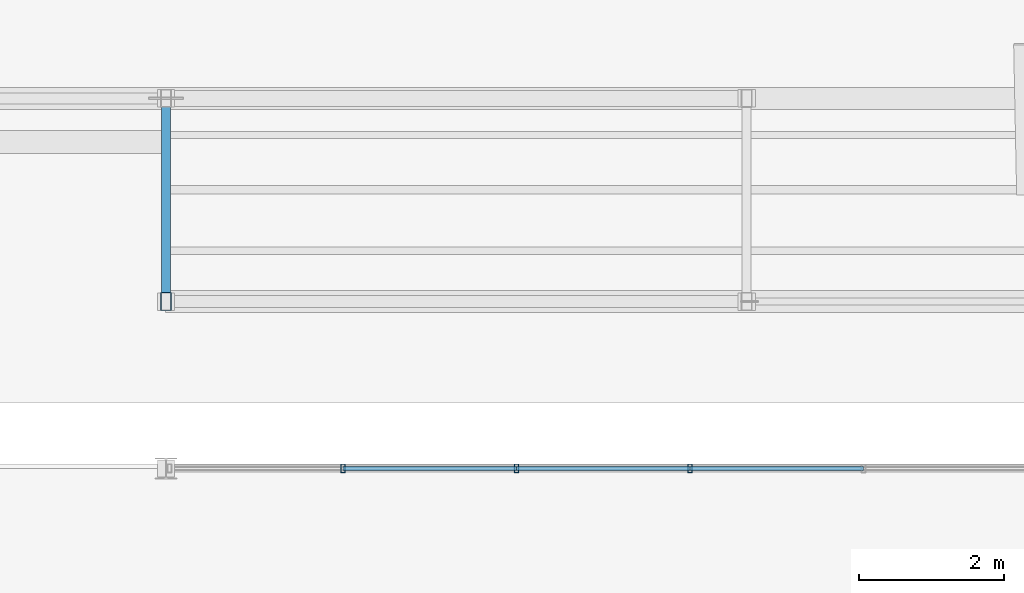
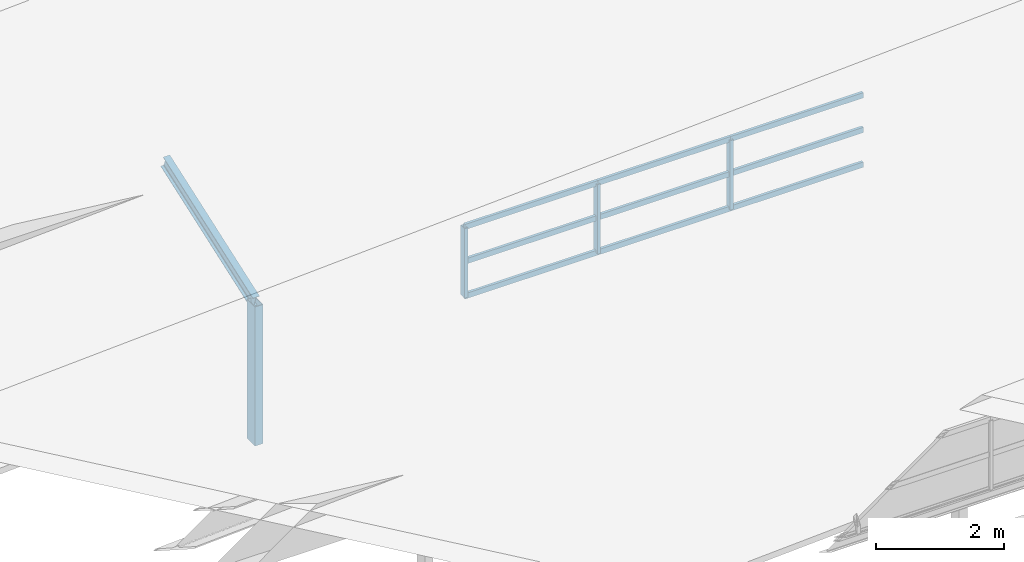
# One storey, part 27 of 141: 14 members, 1 element without a shape of its own.
"""IFC4 building model written with IfcOpenShell, lengths in metres."""

from ifc_helpers import new_model, si_unit, direction, frame, origin, origin_2d, place, context, subcontext, project, spatial, hollow_rectangle, i_section, extrude, material, material_profile, profile_set, type_object, element, aggregate, save


model = new_model("IFC4")

# Units and contexts
model_context = context("Model", 3, precision=1e-05, world=origin(), true_north=direction((0.0, 1.0)))
body_context = subcontext(model_context, "Body", "Model", "MODEL_VIEW")
ifc_project = project(units=[si_unit("LENGTHUNIT", "METRE"), si_unit("AREAUNIT", "SQUARE_METRE"), si_unit("VOLUMEUNIT", "CUBIC_METRE"), si_unit("PLANEANGLEUNIT", "RADIAN"), si_unit("MASSUNIT", "GRAM", prefix="KILO")], contexts=[model_context])

# Site, building, storey
site_placement = place(None, origin())
site = spatial("IfcSite", under=ifc_project, at=site_placement, CompositionType="ELEMENT")
building_placement = place(site_placement, origin())
building = spatial("IfcBuilding", under=site, at=building_placement, Name="Sundkrona Museum", CompositionType="ELEMENT")
storey_placement = place(building_placement, frame((0.0, 0.0, 34.0)))
storey = spatial("IfcBuildingStorey", under=building, at=storey_placement, Name="RF", CompositionType="ELEMENT", Elevation=34.0)

# Curtain wall, members
ifc_material_1 = material(Name="Unitised Aluminium-Steel and Ceramic-Clad Curtain Walling", Category="steel")
curtain_wall_type = type_object("IfcCurtainWallType", Name="CW-SW-240x13", PredefinedType="NOTDEFINED", material=ifc_material_1)
curtain_wall_placement = place(storey_placement, origin())
curtain_wall = element("IfcCurtainWall", 1, at=curtain_wall_placement, inside=storey, type_object=curtain_wall_type, Name="Sawtooth Bay 3 West North-Light Clerestory", PredefinedType="NOTDEFINED")
ifc_material_2 = material(Name="Aluminium EN AW-6060 T66", Category="aluminium")
ifc_material_profile_1 = material_profile(ifc_material_2, hollow_rectangle(XDim=0.06005859375, YDim=0.1201171875, WallThickness=0.0048828125, at=origin_2d()), Name="RHS 120x60x5.0")
ifc_profile_set_1 = profile_set([ifc_material_profile_1], Name="Aluminium EN AW-6060 T66")
member_type_1 = type_object("IfcMemberType", Name="ML-120", PredefinedType="MULLION", material=ifc_profile_set_1)
member_1_placement = place(storey_placement, frame((122.43994140625, 18.39990234375, 3.052978515625), z_axis=(0.0, 0.0, 1.0), x_axis=(1.0, 0.0, 0.0)))
member_1 = element("IfcMember", 2, at=member_1_placement, type_object=member_type_1, Name="CW-RF-SAW-03W Mullion 02", PredefinedType="MULLION", context=body_context, shape_type="SweptSolid", body=[
    extrude(hollow_rectangle(XDim=0.06005859375, YDim=0.1201171875, WallThickness=0.0048828125, at=origin_2d()), origin(), (0.0, 0.0, 1.0), 1.320068359375),
])
member_2_placement = place(storey_placement, frame((124.830078125, 18.39990234375, 3.052978515625), z_axis=(0.0, 0.0, 1.0), x_axis=(1.0, 0.0, 0.0)))
member_2 = element("IfcMember", 3, at=member_2_placement, type_object=member_type_1, Name="CW-RF-SAW-03W Mullion 03", PredefinedType="MULLION", context=body_context, shape_type="SweptSolid", body=[
    extrude(hollow_rectangle(XDim=0.06005859375, YDim=0.1201171875, WallThickness=0.0048828125, at=origin_2d()), origin(), (0.0, 0.0, 1.0), 1.320068359375),
])
member_3_placement = place(storey_placement, frame((127.219970703125, 18.39990234375, 3.052978515625), z_axis=(0.0, 0.0, 1.0), x_axis=(1.0, 0.0, 0.0)))
member_3 = element("IfcMember", 4, at=member_3_placement, type_object=member_type_1, Name="CW-RF-SAW-03W Mullion 04", PredefinedType="MULLION", context=body_context, shape_type="SweptSolid", body=[
    extrude(hollow_rectangle(XDim=0.06005859375, YDim=0.1201171875, WallThickness=0.0048828125, at=origin_2d()), origin(), (0.0, 0.0, 1.0), 1.320068359375),
])

# Members
ifc_material_3 = material(Name="Steel S355J2", Category="steel")
ifc_material_profile_2 = material_profile(ifc_material_3, i_section(OverallWidth=0.1201171875, OverallDepth=0.239990234375, WebThickness=0.006103515625, FlangeThickness=0.009765625, FilletRadius=0.014892578125, at=origin_2d()), Name="IPE 240")
ifc_profile_set_2 = profile_set([ifc_material_profile_2], Name="Steel S355J2")
member_type_2 = type_object("IfcMemberType", Name="PR-IPE240", PredefinedType="PURLIN", material=ifc_profile_set_2)
member_4_placement = place(storey_placement, frame((120.0, 20.699951171875, 2.39697265625), z_axis=(0.0, 0.942754878846, 0.333486489099), x_axis=(-1.0, 0.0, 0.0)))
element("IfcMember", 5, at=member_4_placement, inside=storey, type_object=member_type_2, Name="RFS-1 Sawtooth Bay 4 Transverse Rafter 1", PredefinedType="PURLIN", context=body_context, shape_type="SweptSolid", body=[
    extrude(i_section(OverallWidth=0.1201171875, OverallDepth=0.239990234375, WebThickness=0.006103515625, FlangeThickness=0.009765625, FilletRadius=0.014892578125, at=origin_2d()), origin(), (0.0, 0.0, 1.0), 2.969970703125),
])
ifc_material_profile_3 = material_profile(ifc_material_3, hollow_rectangle(XDim=0.14990234375, YDim=0.25, WallThickness=0.010009765625, at=origin_2d()), Name="RHS 250x150x10.0")
ifc_profile_set_3 = profile_set([ifc_material_profile_3], Name="Steel S355J2")
member_type_3 = type_object("IfcMemberType", Name="ST-RHS250", PredefinedType="STRUT", material=ifc_profile_set_3)
member_5_placement = place(storey_placement, frame((120.0, 20.699951171875, -0.25), z_axis=(0.0, 0.0, 1.0), x_axis=(1.0, 0.0, 0.0)))
element("IfcMember", 6, at=member_5_placement, inside=storey, type_object=member_type_3, Name="RFS-1 Sawtooth Bay 4 Valley Post 1", PredefinedType="STRUT", context=body_context, shape_type="SweptSolid", body=[
    extrude(hollow_rectangle(XDim=0.14990234375, YDim=0.25, WallThickness=0.010009765625, at=origin_2d()), origin(), (0.0, 0.0, 1.0), 2.64697265625),
])

# Member
ifc_material_profile_4 = material_profile(ifc_material_2, hollow_rectangle(XDim=0.050048828125, YDim=0.10009765625, WallThickness=0.0048828125, at=origin_2d()), Name="RHS 100x50x5.0")
ifc_profile_set_4 = profile_set([ifc_material_profile_4], Name="Aluminium EN AW-6060 T66")
member_type_4 = type_object("IfcMemberType", Name="TR-100", PredefinedType="USERDEFINED", material=ifc_profile_set_4)
member_6_placement = place(storey_placement, frame((122.43994140625, 18.39990234375, 3.052978515625), z_axis=(1.0, 0.0, 0.0), x_axis=(0.0, 1.0, 0.0)))
member_6 = element("IfcMember", 7, at=member_6_placement, type_object=member_type_4, Name="CW-RF-SAW-03W Transom 04", ObjectType="TRANSOM", PredefinedType="USERDEFINED", context=body_context, shape_type="SweptSolid", body=[
    extrude(hollow_rectangle(XDim=0.050048828125, YDim=0.10009765625, WallThickness=0.0048828125, at=origin_2d()), origin(), (0.0, 0.0, 1.0), 2.39013671875),
])

member_7_placement = place(storey_placement, frame((122.43994140625, 18.39990234375, 3.712890625), z_axis=(1.0, 0.0, 0.0), x_axis=(0.0, 1.0, 0.0)))
member_7 = element("IfcMember", 8, at=member_7_placement, type_object=member_type_4, Name="CW-RF-SAW-03W Transom 05", ObjectType="TRANSOM", PredefinedType="USERDEFINED", context=body_context, shape_type="SweptSolid", body=[
    extrude(hollow_rectangle(XDim=0.050048828125, YDim=0.10009765625, WallThickness=0.0048828125, at=origin_2d()), origin(), (0.0, 0.0, 1.0), 2.39013671875),
])

member_8_placement = place(storey_placement, frame((122.43994140625, 18.39990234375, 4.373046875), z_axis=(1.0, 0.0, 0.0), x_axis=(0.0, 1.0, 0.0)))
member_8 = element("IfcMember", 9, at=member_8_placement, type_object=member_type_4, Name="CW-RF-SAW-03W Transom 06", ObjectType="TRANSOM", PredefinedType="USERDEFINED", context=body_context, shape_type="SweptSolid", body=[
    extrude(hollow_rectangle(XDim=0.050048828125, YDim=0.10009765625, WallThickness=0.0048828125, at=origin_2d()), origin(), (0.0, 0.0, 1.0), 2.39013671875),
])

member_9_placement = place(storey_placement, frame((124.830078125, 18.39990234375, 3.052978515625), z_axis=(1.0, 0.0, 0.0), x_axis=(0.0, 1.0, 0.0)))
member_9 = element("IfcMember", 10, at=member_9_placement, type_object=member_type_4, Name="CW-RF-SAW-03W Transom 07", ObjectType="TRANSOM", PredefinedType="USERDEFINED", context=body_context, shape_type="SweptSolid", body=[
    extrude(hollow_rectangle(XDim=0.050048828125, YDim=0.10009765625, WallThickness=0.0048828125, at=origin_2d()), origin(), (0.0, 0.0, 1.0), 2.389892578125),
])

member_10_placement = place(storey_placement, frame((124.830078125, 18.39990234375, 3.712890625), z_axis=(1.0, 0.0, 0.0), x_axis=(0.0, 1.0, 0.0)))
member_10 = element("IfcMember", 11, at=member_10_placement, type_object=member_type_4, Name="CW-RF-SAW-03W Transom 08", ObjectType="TRANSOM", PredefinedType="USERDEFINED", context=body_context, shape_type="SweptSolid", body=[
    extrude(hollow_rectangle(XDim=0.050048828125, YDim=0.10009765625, WallThickness=0.0048828125, at=origin_2d()), origin(), (0.0, 0.0, 1.0), 2.389892578125),
])

member_11_placement = place(storey_placement, frame((124.830078125, 18.39990234375, 4.373046875), z_axis=(1.0, 0.0, 0.0), x_axis=(0.0, 1.0, 0.0)))
member_11 = element("IfcMember", 12, at=member_11_placement, type_object=member_type_4, Name="CW-RF-SAW-03W Transom 09", ObjectType="TRANSOM", PredefinedType="USERDEFINED", context=body_context, shape_type="SweptSolid", body=[
    extrude(hollow_rectangle(XDim=0.050048828125, YDim=0.10009765625, WallThickness=0.0048828125, at=origin_2d()), origin(), (0.0, 0.0, 1.0), 2.389892578125),
])

member_12_placement = place(storey_placement, frame((127.219970703125, 18.39990234375, 3.052978515625), z_axis=(1.0, 0.0, 0.0), x_axis=(0.0, 1.0, 0.0)))
member_12 = element("IfcMember", 13, at=member_12_placement, type_object=member_type_4, Name="CW-RF-SAW-03W Transom 10", ObjectType="TRANSOM", PredefinedType="USERDEFINED", context=body_context, shape_type="SweptSolid", body=[
    extrude(hollow_rectangle(XDim=0.050048828125, YDim=0.10009765625, WallThickness=0.0048828125, at=origin_2d()), origin(), (0.0, 0.0, 1.0), 2.39013671875),
])

member_13_placement = place(storey_placement, frame((127.219970703125, 18.39990234375, 3.712890625), z_axis=(1.0, 0.0, 0.0), x_axis=(0.0, 1.0, 0.0)))
member_13 = element("IfcMember", 14, at=member_13_placement, type_object=member_type_4, Name="CW-RF-SAW-03W Transom 11", ObjectType="TRANSOM", PredefinedType="USERDEFINED", context=body_context, shape_type="SweptSolid", body=[
    extrude(hollow_rectangle(XDim=0.050048828125, YDim=0.10009765625, WallThickness=0.0048828125, at=origin_2d()), origin(), (0.0, 0.0, 1.0), 2.39013671875),
])

member_14_placement = place(storey_placement, frame((127.219970703125, 18.39990234375, 4.373046875), z_axis=(1.0, 0.0, 0.0), x_axis=(0.0, 1.0, 0.0)))
member_14 = element("IfcMember", 15, at=member_14_placement, type_object=member_type_4, Name="CW-RF-SAW-03W Transom 12", ObjectType="TRANSOM", PredefinedType="USERDEFINED", context=body_context, shape_type="SweptSolid", body=[
    extrude(hollow_rectangle(XDim=0.050048828125, YDim=0.10009765625, WallThickness=0.0048828125, at=origin_2d()), origin(), (0.0, 0.0, 1.0), 2.39013671875),
])

aggregate(curtain_wall, [member_1, member_2, member_3, member_6, member_7, member_8, member_9, member_10, member_11, member_12, member_13, member_14])

save(model, "model.ifc")
